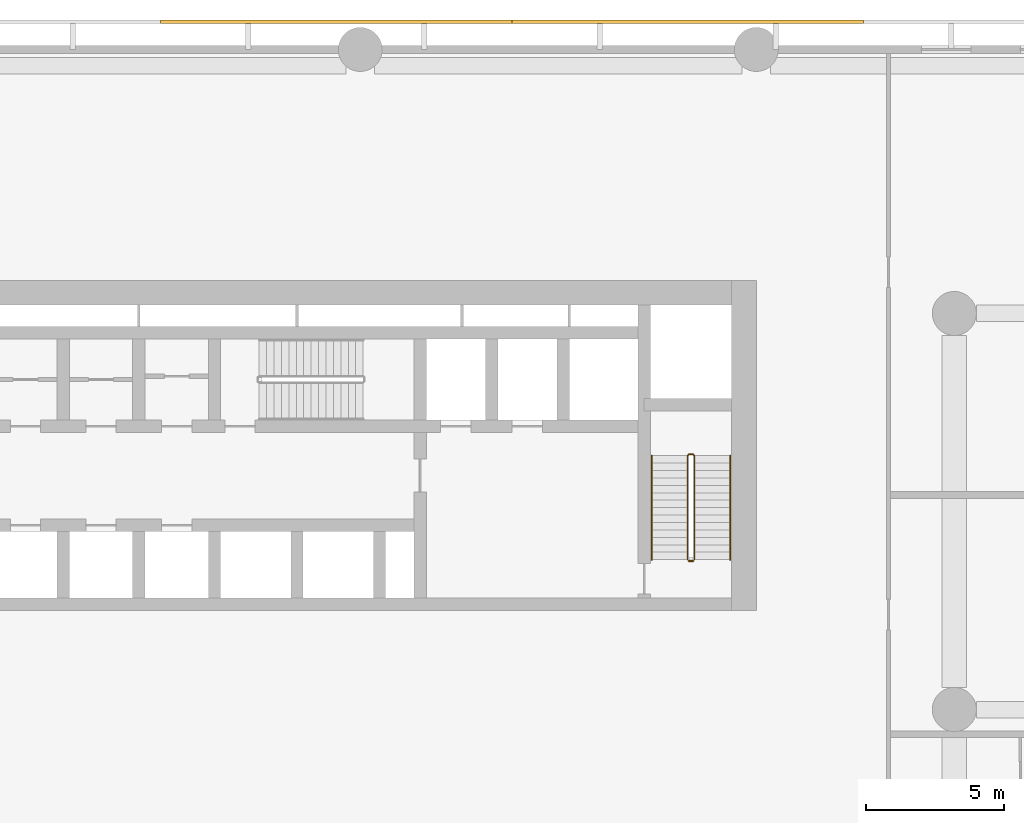
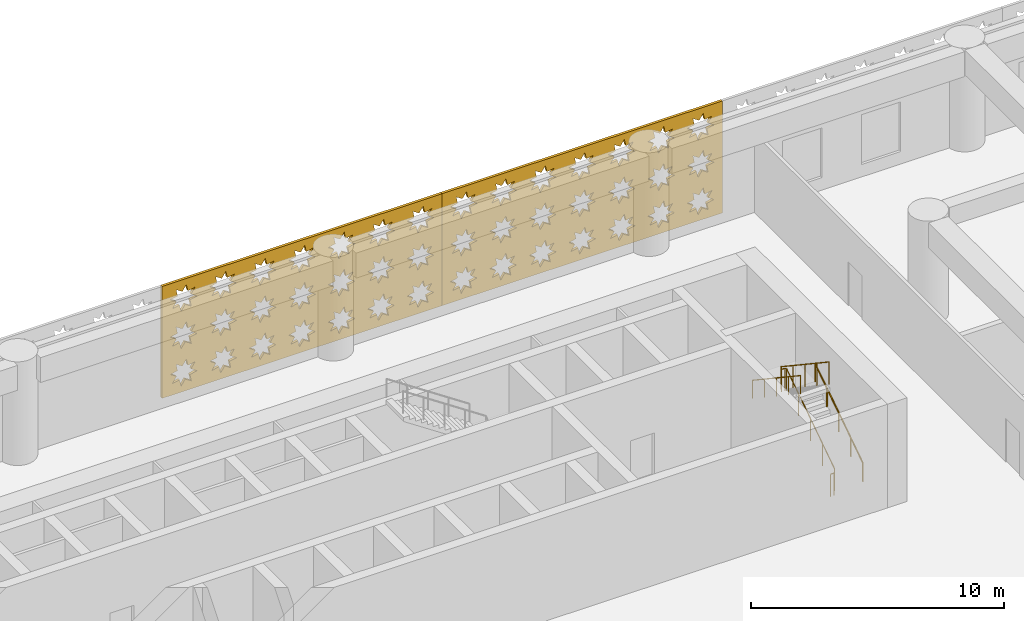
# One storey, part 28 of 30: 4 railings, 2 coverings.
"""IFC4 building model written with IfcOpenShell, lengths in metres."""

from ifc_helpers import new_model, si_unit, direction, frame, origin, origin_2d, place, context, subcontext, project, spatial, polyline, circle, outline, extrude, material, layer, layer_set, type_object, element, save


model = new_model("IFC4")

# Units and contexts
model_context = context("Model", 3, precision=1e-05, world=origin(), true_north=direction((0.0, 1.0)))
body_context = subcontext(model_context, "Body", "Model", "MODEL_VIEW")
ifc_project = project(units=[si_unit("LENGTHUNIT", "METRE"), si_unit("AREAUNIT", "SQUARE_METRE"), si_unit("VOLUMEUNIT", "CUBIC_METRE"), si_unit("PLANEANGLEUNIT", "RADIAN"), si_unit("MASSUNIT", "GRAM", prefix="KILO")], contexts=[model_context])

# Site, building, storey
site_placement = place(None, origin())
site = spatial("IfcSite", under=ifc_project, at=site_placement, CompositionType="ELEMENT")
building_placement = place(site_placement, origin())
building = spatial("IfcBuilding", under=site, at=building_placement, Name="Saffron Iwan Residences", CompositionType="ELEMENT")
storey_placement = place(building_placement, frame((0.0, 0.0, 7.800048828125)))
storey = spatial("IfcBuildingStorey", under=building, at=storey_placement, Name="L01", CompositionType="ELEMENT", Elevation=7.800048828125)

# Coverings
ifc_material_1 = material(Name="Terracotta screen, precast concrete C40/50", Category="masonry")
ifc_layer = layer(ifc_material_1, 0.1201171875)
ifc_layer_set = layer_set([ifc_layer], Name="Terracotta screen, precast concrete C40/50")
covering_type = type_object("IfcCoveringType", Name="PODIUM SCREEN GIRIH", PredefinedType="CLADDING", material=ifc_layer_set)
covering_1_placement = place(storey_placement, frame((75.89501953125, 87.35009765625, -0.400146484375), z_axis=(0.0, 1.0, 0.0), x_axis=(-1.0, 0.0, 0.0)))
element("IfcCovering", 1, at=covering_1_placement, inside=storey, type_object=covering_type, Name="SCREEN girih terracotta L01 F2.2", PredefinedType="CLADDING", context=body_context, shape_type="SweptSolid", body=[
    extrude(outline(polyline([(0.0, 0.0), (12.777587890625, 0.0), (12.777587890625, 5.39990234375), (0.0, 5.39990234375), (0.0, 0.0)]), holes=[polyline([(1.5966796875, 1.02099609375), (1.271484375, 1.0888671875), (1.333251953125, 1.41552734375), (1.05517578125, 1.2333984375), (0.867919921875, 1.508056640625), (0.7998046875, 1.1826171875), (0.47314453125, 1.244384765625), (0.6552734375, 0.96630859375), (0.380615234375, 0.779052734375), (0.7060546875, 0.711181640625), (0.644287109375, 0.384521484375), (0.92236328125, 0.56640625), (1.109619140625, 0.2919921875), (1.177490234375, 0.6171875), (1.50439453125, 0.555419921875), (1.322265625, 0.833740234375), (1.5966796875, 1.02099609375)]), polyline([(1.5966796875, 2.821044921875), (1.271484375, 2.888916015625), (1.333251953125, 3.215576171875), (1.05517578125, 3.033447265625), (0.867919921875, 3.30810546875), (0.7998046875, 2.982666015625), (0.47314453125, 3.04443359375), (0.6552734375, 2.766357421875), (0.380615234375, 2.5791015625), (0.7060546875, 2.510986328125), (0.644287109375, 2.1845703125), (0.92236328125, 2.366455078125), (1.109619140625, 2.091796875), (1.177490234375, 2.417236328125), (1.50439453125, 2.35546875), (1.322265625, 2.6337890625), (1.5966796875, 2.821044921875)]), polyline([(1.5966796875, 4.62109375), (1.271484375, 4.68896484375), (1.333251953125, 5.015380859375), (1.05517578125, 4.83349609375), (0.867919921875, 5.108154296875), (0.7998046875, 4.78271484375), (0.47314453125, 4.844482421875), (0.6552734375, 4.56640625), (0.380615234375, 4.37890625), (0.7060546875, 4.31103515625), (0.644287109375, 3.984619140625), (0.92236328125, 4.16650390625), (1.109619140625, 3.891845703125), (1.177490234375, 4.21728515625), (1.50439453125, 4.155517578125), (1.322265625, 4.43359375), (1.5966796875, 4.62109375)]), polyline([(3.396728515625, 1.02099609375), (3.0712890625, 1.0888671875), (3.13330078125, 1.41552734375), (2.85498046875, 1.2333984375), (2.667724609375, 1.508056640625), (2.599853515625, 1.1826171875), (2.273193359375, 1.244384765625), (2.455322265625, 0.96630859375), (2.1806640625, 0.779052734375), (2.506103515625, 0.711181640625), (2.4443359375, 0.384521484375), (2.722412109375, 0.56640625), (2.90966796875, 0.2919921875), (2.9775390625, 0.6171875), (3.30419921875, 0.555419921875), (3.122314453125, 0.833740234375), (3.396728515625, 1.02099609375)]), polyline([(3.396728515625, 2.821044921875), (3.0712890625, 2.888916015625), (3.13330078125, 3.215576171875), (2.85498046875, 3.033447265625), (2.667724609375, 3.30810546875), (2.599853515625, 2.982666015625), (2.273193359375, 3.04443359375), (2.455322265625, 2.766357421875), (2.1806640625, 2.5791015625), (2.506103515625, 2.510986328125), (2.4443359375, 2.1845703125), (2.722412109375, 2.366455078125), (2.90966796875, 2.091796875), (2.9775390625, 2.417236328125), (3.30419921875, 2.35546875), (3.122314453125, 2.6337890625), (3.396728515625, 2.821044921875)]), polyline([(3.396728515625, 4.62109375), (3.0712890625, 4.68896484375), (3.13330078125, 5.015380859375), (2.85498046875, 4.83349609375), (2.667724609375, 5.108154296875), (2.599853515625, 4.78271484375), (2.273193359375, 4.844482421875), (2.455322265625, 4.56640625), (2.1806640625, 4.37890625), (2.506103515625, 4.31103515625), (2.4443359375, 3.984619140625), (2.722412109375, 4.16650390625), (2.90966796875, 3.891845703125), (2.9775390625, 4.21728515625), (3.30419921875, 4.155517578125), (3.122314453125, 4.43359375), (3.396728515625, 4.62109375)]), polyline([(5.19677734375, 1.02099609375), (4.871337890625, 1.0888671875), (4.93310546875, 1.41552734375), (4.655029296875, 1.2333984375), (4.4677734375, 1.508056640625), (4.39990234375, 1.1826171875), (4.0732421875, 1.244384765625), (4.25537109375, 0.96630859375), (3.980712890625, 0.779052734375), (4.30615234375, 0.711181640625), (4.244384765625, 0.384521484375), (4.5224609375, 0.56640625), (4.709716796875, 0.2919921875), (4.777587890625, 0.6171875), (5.104248046875, 0.555419921875), (4.922119140625, 0.833740234375), (5.19677734375, 1.02099609375)]), polyline([(5.19677734375, 2.821044921875), (4.871337890625, 2.888916015625), (4.93310546875, 3.215576171875), (4.655029296875, 3.033447265625), (4.4677734375, 3.30810546875), (4.39990234375, 2.982666015625), (4.0732421875, 3.04443359375), (4.25537109375, 2.766357421875), (3.980712890625, 2.5791015625), (4.30615234375, 2.510986328125), (4.244384765625, 2.1845703125), (4.5224609375, 2.366455078125), (4.709716796875, 2.091796875), (4.777587890625, 2.417236328125), (5.104248046875, 2.35546875), (4.922119140625, 2.6337890625), (5.19677734375, 2.821044921875)]), polyline([(5.19677734375, 4.62109375), (4.871337890625, 4.68896484375), (4.93310546875, 5.015380859375), (4.655029296875, 4.83349609375), (4.4677734375, 5.108154296875), (4.39990234375, 4.78271484375), (4.0732421875, 4.844482421875), (4.25537109375, 4.56640625), (3.980712890625, 4.37890625), (4.30615234375, 4.31103515625), (4.244384765625, 3.984619140625), (4.5224609375, 4.16650390625), (4.709716796875, 3.891845703125), (4.777587890625, 4.21728515625), (5.104248046875, 4.155517578125), (4.922119140625, 4.43359375), (5.19677734375, 4.62109375)]), polyline([(6.996826171875, 1.02099609375), (6.67138671875, 1.0888671875), (6.733154296875, 1.41552734375), (6.455078125, 1.2333984375), (6.267822265625, 1.508056640625), (6.199951171875, 1.1826171875), (5.873291015625, 1.244384765625), (6.055419921875, 0.96630859375), (5.78076171875, 0.779052734375), (6.106201171875, 0.711181640625), (6.044189453125, 0.384521484375), (6.322509765625, 0.56640625), (6.509765625, 0.2919921875), (6.57763671875, 0.6171875), (6.904296875, 0.555419921875), (6.72216796875, 0.833740234375), (6.996826171875, 1.02099609375)]), polyline([(6.996826171875, 2.821044921875), (6.67138671875, 2.888916015625), (6.733154296875, 3.215576171875), (6.455078125, 3.033447265625), (6.267822265625, 3.30810546875), (6.199951171875, 2.982666015625), (5.873291015625, 3.04443359375), (6.055419921875, 2.766357421875), (5.78076171875, 2.5791015625), (6.106201171875, 2.510986328125), (6.044189453125, 2.1845703125), (6.322509765625, 2.366455078125), (6.509765625, 2.091796875), (6.57763671875, 2.417236328125), (6.904296875, 2.35546875), (6.72216796875, 2.6337890625), (6.996826171875, 2.821044921875)]), polyline([(6.996826171875, 4.62109375), (6.67138671875, 4.68896484375), (6.733154296875, 5.015380859375), (6.455078125, 4.83349609375), (6.267822265625, 5.108154296875), (6.199951171875, 4.78271484375), (5.873291015625, 4.844482421875), (6.055419921875, 4.56640625), (5.78076171875, 4.37890625), (6.106201171875, 4.31103515625), (6.044189453125, 3.984619140625), (6.322509765625, 4.16650390625), (6.509765625, 3.891845703125), (6.57763671875, 4.21728515625), (6.904296875, 4.155517578125), (6.72216796875, 4.43359375), (6.996826171875, 4.62109375)]), polyline([(8.796875, 1.02099609375), (8.471435546875, 1.0888671875), (8.533203125, 1.41552734375), (8.255126953125, 1.2333984375), (8.06787109375, 1.508056640625), (8.0, 1.1826171875), (7.673095703125, 1.244384765625), (7.855224609375, 0.96630859375), (7.580810546875, 0.779052734375), (7.906005859375, 0.711181640625), (7.84423828125, 0.384521484375), (8.122314453125, 0.56640625), (8.309814453125, 0.2919921875), (8.377685546875, 0.6171875), (8.704345703125, 0.555419921875), (8.522216796875, 0.833740234375), (8.796875, 1.02099609375)]), polyline([(8.796875, 2.821044921875), (8.471435546875, 2.888916015625), (8.533203125, 3.215576171875), (8.255126953125, 3.033447265625), (8.06787109375, 3.30810546875), (8.0, 2.982666015625), (7.673095703125, 3.04443359375), (7.855224609375, 2.766357421875), (7.580810546875, 2.5791015625), (7.906005859375, 2.510986328125), (7.84423828125, 2.1845703125), (8.122314453125, 2.366455078125), (8.309814453125, 2.091796875), (8.377685546875, 2.417236328125), (8.704345703125, 2.35546875), (8.522216796875, 2.6337890625), (8.796875, 2.821044921875)]), polyline([(8.796875, 4.62109375), (8.471435546875, 4.68896484375), (8.533203125, 5.015380859375), (8.255126953125, 4.83349609375), (8.06787109375, 5.108154296875), (8.0, 4.78271484375), (7.673095703125, 4.844482421875), (7.855224609375, 4.56640625), (7.580810546875, 4.37890625), (7.906005859375, 4.31103515625), (7.84423828125, 3.984619140625), (8.122314453125, 4.16650390625), (8.309814453125, 3.891845703125), (8.377685546875, 4.21728515625), (8.704345703125, 4.155517578125), (8.522216796875, 4.43359375), (8.796875, 4.62109375)]), polyline([(10.5966796875, 1.02099609375), (10.271484375, 1.0888671875), (10.333251953125, 1.41552734375), (10.05517578125, 1.2333984375), (9.867919921875, 1.508056640625), (9.7998046875, 1.1826171875), (9.47314453125, 1.244384765625), (9.6552734375, 0.96630859375), (9.380615234375, 0.779052734375), (9.7060546875, 0.711181640625), (9.644287109375, 0.384521484375), (9.92236328125, 0.56640625), (10.109619140625, 0.2919921875), (10.177490234375, 0.6171875), (10.50439453125, 0.555419921875), (10.322265625, 0.833740234375), (10.5966796875, 1.02099609375)]), polyline([(10.5966796875, 2.821044921875), (10.271484375, 2.888916015625), (10.333251953125, 3.215576171875), (10.05517578125, 3.033447265625), (9.867919921875, 3.30810546875), (9.7998046875, 2.982666015625), (9.47314453125, 3.04443359375), (9.6552734375, 2.766357421875), (9.380615234375, 2.5791015625), (9.7060546875, 2.510986328125), (9.644287109375, 2.1845703125), (9.92236328125, 2.366455078125), (10.109619140625, 2.091796875), (10.177490234375, 2.417236328125), (10.50439453125, 2.35546875), (10.322265625, 2.6337890625), (10.5966796875, 2.821044921875)]), polyline([(10.5966796875, 4.62109375), (10.271484375, 4.68896484375), (10.333251953125, 5.015380859375), (10.05517578125, 4.83349609375), (9.867919921875, 5.108154296875), (9.7998046875, 4.78271484375), (9.47314453125, 4.844482421875), (9.6552734375, 4.56640625), (9.380615234375, 4.37890625), (9.7060546875, 4.31103515625), (9.644287109375, 3.984619140625), (9.92236328125, 4.16650390625), (10.109619140625, 3.891845703125), (10.177490234375, 4.21728515625), (10.50439453125, 4.155517578125), (10.322265625, 4.43359375), (10.5966796875, 4.62109375)]), polyline([(12.396728515625, 1.02099609375), (12.0712890625, 1.0888671875), (12.13330078125, 1.41552734375), (11.85498046875, 1.2333984375), (11.667724609375, 1.508056640625), (11.599853515625, 1.1826171875), (11.273193359375, 1.244384765625), (11.455322265625, 0.96630859375), (11.1806640625, 0.779052734375), (11.506103515625, 0.711181640625), (11.4443359375, 0.384521484375), (11.722412109375, 0.56640625), (11.90966796875, 0.2919921875), (11.9775390625, 0.6171875), (12.30419921875, 0.555419921875), (12.122314453125, 0.833740234375), (12.396728515625, 1.02099609375)]), polyline([(12.396728515625, 2.821044921875), (12.0712890625, 2.888916015625), (12.13330078125, 3.215576171875), (11.85498046875, 3.033447265625), (11.667724609375, 3.30810546875), (11.599853515625, 2.982666015625), (11.273193359375, 3.04443359375), (11.455322265625, 2.766357421875), (11.1806640625, 2.5791015625), (11.506103515625, 2.510986328125), (11.4443359375, 2.1845703125), (11.722412109375, 2.366455078125), (11.90966796875, 2.091796875), (11.9775390625, 2.417236328125), (12.30419921875, 2.35546875), (12.122314453125, 2.6337890625), (12.396728515625, 2.821044921875)]), polyline([(12.396728515625, 4.62109375), (12.0712890625, 4.68896484375), (12.13330078125, 5.015380859375), (11.85498046875, 4.83349609375), (11.667724609375, 5.108154296875), (11.599853515625, 4.78271484375), (11.273193359375, 4.844482421875), (11.455322265625, 4.56640625), (11.1806640625, 4.37890625), (11.506103515625, 4.31103515625), (11.4443359375, 3.984619140625), (11.722412109375, 4.16650390625), (11.90966796875, 3.891845703125), (11.9775390625, 4.21728515625), (12.30419921875, 4.155517578125), (12.122314453125, 4.43359375), (12.396728515625, 4.62109375)])]), origin(), (0.0, 0.0, 1.0), 0.119873046875),
])
covering_2_placement = place(storey_placement, frame((63.117431640625, 87.35009765625, -0.400146484375), z_axis=(0.0, 1.0, 0.0), x_axis=(-1.0, 0.0, 0.0)))
element("IfcCovering", 2, at=covering_2_placement, inside=storey, type_object=covering_type, Name="SCREEN girih terracotta L01 F2.3", PredefinedType="CLADDING", context=body_context, shape_type="SweptSolid", body=[
    extrude(outline(polyline([(0.0, 0.0), (12.777587890625, 0.0), (12.777587890625, 5.39990234375), (0.0, 5.39990234375), (0.0, 0.0)]), holes=[polyline([(1.5966796875, 1.02099609375), (1.271484375, 1.0888671875), (1.333251953125, 1.41552734375), (1.05517578125, 1.2333984375), (0.867919921875, 1.508056640625), (0.7998046875, 1.1826171875), (0.47314453125, 1.244384765625), (0.6552734375, 0.96630859375), (0.380615234375, 0.779052734375), (0.7060546875, 0.711181640625), (0.644287109375, 0.384521484375), (0.92236328125, 0.56640625), (1.109619140625, 0.2919921875), (1.177490234375, 0.6171875), (1.50439453125, 0.555419921875), (1.322265625, 0.833740234375), (1.5966796875, 1.02099609375)]), polyline([(1.5966796875, 2.821044921875), (1.271484375, 2.888916015625), (1.333251953125, 3.215576171875), (1.05517578125, 3.033447265625), (0.867919921875, 3.30810546875), (0.7998046875, 2.982666015625), (0.47314453125, 3.04443359375), (0.6552734375, 2.766357421875), (0.380615234375, 2.5791015625), (0.7060546875, 2.510986328125), (0.644287109375, 2.1845703125), (0.92236328125, 2.366455078125), (1.109619140625, 2.091796875), (1.177490234375, 2.417236328125), (1.50439453125, 2.35546875), (1.322265625, 2.6337890625), (1.5966796875, 2.821044921875)]), polyline([(1.5966796875, 4.62109375), (1.271484375, 4.68896484375), (1.333251953125, 5.015380859375), (1.05517578125, 4.83349609375), (0.867919921875, 5.108154296875), (0.7998046875, 4.78271484375), (0.47314453125, 4.844482421875), (0.6552734375, 4.56640625), (0.380615234375, 4.37890625), (0.7060546875, 4.31103515625), (0.644287109375, 3.984619140625), (0.92236328125, 4.16650390625), (1.109619140625, 3.891845703125), (1.177490234375, 4.21728515625), (1.50439453125, 4.155517578125), (1.322265625, 4.43359375), (1.5966796875, 4.62109375)]), polyline([(3.396728515625, 1.02099609375), (3.0712890625, 1.0888671875), (3.13330078125, 1.41552734375), (2.85498046875, 1.2333984375), (2.667724609375, 1.508056640625), (2.599853515625, 1.1826171875), (2.273193359375, 1.244384765625), (2.455322265625, 0.96630859375), (2.1806640625, 0.779052734375), (2.506103515625, 0.711181640625), (2.4443359375, 0.384521484375), (2.722412109375, 0.56640625), (2.90966796875, 0.2919921875), (2.9775390625, 0.6171875), (3.30419921875, 0.555419921875), (3.122314453125, 0.833740234375), (3.396728515625, 1.02099609375)]), polyline([(3.396728515625, 2.821044921875), (3.0712890625, 2.888916015625), (3.13330078125, 3.215576171875), (2.85498046875, 3.033447265625), (2.667724609375, 3.30810546875), (2.599853515625, 2.982666015625), (2.273193359375, 3.04443359375), (2.455322265625, 2.766357421875), (2.1806640625, 2.5791015625), (2.506103515625, 2.510986328125), (2.4443359375, 2.1845703125), (2.722412109375, 2.366455078125), (2.90966796875, 2.091796875), (2.9775390625, 2.417236328125), (3.30419921875, 2.35546875), (3.122314453125, 2.6337890625), (3.396728515625, 2.821044921875)]), polyline([(3.396728515625, 4.62109375), (3.0712890625, 4.68896484375), (3.13330078125, 5.015380859375), (2.85498046875, 4.83349609375), (2.667724609375, 5.108154296875), (2.599853515625, 4.78271484375), (2.273193359375, 4.844482421875), (2.455322265625, 4.56640625), (2.1806640625, 4.37890625), (2.506103515625, 4.31103515625), (2.4443359375, 3.984619140625), (2.722412109375, 4.16650390625), (2.90966796875, 3.891845703125), (2.9775390625, 4.21728515625), (3.30419921875, 4.155517578125), (3.122314453125, 4.43359375), (3.396728515625, 4.62109375)]), polyline([(5.19677734375, 1.02099609375), (4.871337890625, 1.0888671875), (4.93310546875, 1.41552734375), (4.655029296875, 1.2333984375), (4.4677734375, 1.508056640625), (4.39990234375, 1.1826171875), (4.0732421875, 1.244384765625), (4.25537109375, 0.96630859375), (3.980712890625, 0.779052734375), (4.30615234375, 0.711181640625), (4.244384765625, 0.384521484375), (4.5224609375, 0.56640625), (4.709716796875, 0.2919921875), (4.777587890625, 0.6171875), (5.104248046875, 0.555419921875), (4.922119140625, 0.833740234375), (5.19677734375, 1.02099609375)]), polyline([(5.19677734375, 2.821044921875), (4.871337890625, 2.888916015625), (4.93310546875, 3.215576171875), (4.655029296875, 3.033447265625), (4.4677734375, 3.30810546875), (4.39990234375, 2.982666015625), (4.0732421875, 3.04443359375), (4.25537109375, 2.766357421875), (3.980712890625, 2.5791015625), (4.30615234375, 2.510986328125), (4.244384765625, 2.1845703125), (4.5224609375, 2.366455078125), (4.709716796875, 2.091796875), (4.777587890625, 2.417236328125), (5.104248046875, 2.35546875), (4.922119140625, 2.6337890625), (5.19677734375, 2.821044921875)]), polyline([(5.19677734375, 4.62109375), (4.871337890625, 4.68896484375), (4.93310546875, 5.015380859375), (4.655029296875, 4.83349609375), (4.4677734375, 5.108154296875), (4.39990234375, 4.78271484375), (4.0732421875, 4.844482421875), (4.25537109375, 4.56640625), (3.980712890625, 4.37890625), (4.30615234375, 4.31103515625), (4.244384765625, 3.984619140625), (4.5224609375, 4.16650390625), (4.709716796875, 3.891845703125), (4.777587890625, 4.21728515625), (5.104248046875, 4.155517578125), (4.922119140625, 4.43359375), (5.19677734375, 4.62109375)]), polyline([(6.996826171875, 1.02099609375), (6.67138671875, 1.0888671875), (6.733154296875, 1.41552734375), (6.455078125, 1.2333984375), (6.267822265625, 1.508056640625), (6.199951171875, 1.1826171875), (5.873291015625, 1.244384765625), (6.055419921875, 0.96630859375), (5.78076171875, 0.779052734375), (6.106201171875, 0.711181640625), (6.044189453125, 0.384521484375), (6.322509765625, 0.56640625), (6.509765625, 0.2919921875), (6.57763671875, 0.6171875), (6.904296875, 0.555419921875), (6.72216796875, 0.833740234375), (6.996826171875, 1.02099609375)]), polyline([(6.996826171875, 2.821044921875), (6.67138671875, 2.888916015625), (6.733154296875, 3.215576171875), (6.455078125, 3.033447265625), (6.267822265625, 3.30810546875), (6.199951171875, 2.982666015625), (5.873291015625, 3.04443359375), (6.055419921875, 2.766357421875), (5.78076171875, 2.5791015625), (6.106201171875, 2.510986328125), (6.044189453125, 2.1845703125), (6.322509765625, 2.366455078125), (6.509765625, 2.091796875), (6.57763671875, 2.417236328125), (6.904296875, 2.35546875), (6.72216796875, 2.6337890625), (6.996826171875, 2.821044921875)]), polyline([(6.996826171875, 4.62109375), (6.67138671875, 4.68896484375), (6.733154296875, 5.015380859375), (6.455078125, 4.83349609375), (6.267822265625, 5.108154296875), (6.199951171875, 4.78271484375), (5.873291015625, 4.844482421875), (6.055419921875, 4.56640625), (5.78076171875, 4.37890625), (6.106201171875, 4.31103515625), (6.044189453125, 3.984619140625), (6.322509765625, 4.16650390625), (6.509765625, 3.891845703125), (6.57763671875, 4.21728515625), (6.904296875, 4.155517578125), (6.72216796875, 4.43359375), (6.996826171875, 4.62109375)]), polyline([(8.796875, 1.02099609375), (8.471435546875, 1.0888671875), (8.533203125, 1.41552734375), (8.255126953125, 1.2333984375), (8.06787109375, 1.508056640625), (8.0, 1.1826171875), (7.673095703125, 1.244384765625), (7.855224609375, 0.96630859375), (7.580810546875, 0.779052734375), (7.906005859375, 0.711181640625), (7.84423828125, 0.384521484375), (8.122314453125, 0.56640625), (8.309814453125, 0.2919921875), (8.377685546875, 0.6171875), (8.704345703125, 0.555419921875), (8.522216796875, 0.833740234375), (8.796875, 1.02099609375)]), polyline([(8.796875, 2.821044921875), (8.471435546875, 2.888916015625), (8.533203125, 3.215576171875), (8.255126953125, 3.033447265625), (8.06787109375, 3.30810546875), (8.0, 2.982666015625), (7.673095703125, 3.04443359375), (7.855224609375, 2.766357421875), (7.580810546875, 2.5791015625), (7.906005859375, 2.510986328125), (7.84423828125, 2.1845703125), (8.122314453125, 2.366455078125), (8.309814453125, 2.091796875), (8.377685546875, 2.417236328125), (8.704345703125, 2.35546875), (8.522216796875, 2.6337890625), (8.796875, 2.821044921875)]), polyline([(8.796875, 4.62109375), (8.471435546875, 4.68896484375), (8.533203125, 5.015380859375), (8.255126953125, 4.83349609375), (8.06787109375, 5.108154296875), (8.0, 4.78271484375), (7.673095703125, 4.844482421875), (7.855224609375, 4.56640625), (7.580810546875, 4.37890625), (7.906005859375, 4.31103515625), (7.84423828125, 3.984619140625), (8.122314453125, 4.16650390625), (8.309814453125, 3.891845703125), (8.377685546875, 4.21728515625), (8.704345703125, 4.155517578125), (8.522216796875, 4.43359375), (8.796875, 4.62109375)]), polyline([(10.5966796875, 1.02099609375), (10.271484375, 1.0888671875), (10.333251953125, 1.41552734375), (10.05517578125, 1.2333984375), (9.867919921875, 1.508056640625), (9.7998046875, 1.1826171875), (9.47314453125, 1.244384765625), (9.6552734375, 0.96630859375), (9.380615234375, 0.779052734375), (9.7060546875, 0.711181640625), (9.644287109375, 0.384521484375), (9.92236328125, 0.56640625), (10.109619140625, 0.2919921875), (10.177490234375, 0.6171875), (10.50439453125, 0.555419921875), (10.322265625, 0.833740234375), (10.5966796875, 1.02099609375)]), polyline([(10.5966796875, 2.821044921875), (10.271484375, 2.888916015625), (10.333251953125, 3.215576171875), (10.05517578125, 3.033447265625), (9.867919921875, 3.30810546875), (9.7998046875, 2.982666015625), (9.47314453125, 3.04443359375), (9.6552734375, 2.766357421875), (9.380615234375, 2.5791015625), (9.7060546875, 2.510986328125), (9.644287109375, 2.1845703125), (9.92236328125, 2.366455078125), (10.109619140625, 2.091796875), (10.177490234375, 2.417236328125), (10.50439453125, 2.35546875), (10.322265625, 2.6337890625), (10.5966796875, 2.821044921875)]), polyline([(10.5966796875, 4.62109375), (10.271484375, 4.68896484375), (10.333251953125, 5.015380859375), (10.05517578125, 4.83349609375), (9.867919921875, 5.108154296875), (9.7998046875, 4.78271484375), (9.47314453125, 4.844482421875), (9.6552734375, 4.56640625), (9.380615234375, 4.37890625), (9.7060546875, 4.31103515625), (9.644287109375, 3.984619140625), (9.92236328125, 4.16650390625), (10.109619140625, 3.891845703125), (10.177490234375, 4.21728515625), (10.50439453125, 4.155517578125), (10.322265625, 4.43359375), (10.5966796875, 4.62109375)]), polyline([(12.396728515625, 1.02099609375), (12.0712890625, 1.0888671875), (12.13330078125, 1.41552734375), (11.85498046875, 1.2333984375), (11.667724609375, 1.508056640625), (11.599853515625, 1.1826171875), (11.273193359375, 1.244384765625), (11.455322265625, 0.96630859375), (11.1806640625, 0.779052734375), (11.506103515625, 0.711181640625), (11.4443359375, 0.384521484375), (11.722412109375, 0.56640625), (11.90966796875, 0.2919921875), (11.9775390625, 0.6171875), (12.30419921875, 0.555419921875), (12.122314453125, 0.833740234375), (12.396728515625, 1.02099609375)]), polyline([(12.396728515625, 2.821044921875), (12.0712890625, 2.888916015625), (12.13330078125, 3.215576171875), (11.85498046875, 3.033447265625), (11.667724609375, 3.30810546875), (11.599853515625, 2.982666015625), (11.273193359375, 3.04443359375), (11.455322265625, 2.766357421875), (11.1806640625, 2.5791015625), (11.506103515625, 2.510986328125), (11.4443359375, 2.1845703125), (11.722412109375, 2.366455078125), (11.90966796875, 2.091796875), (11.9775390625, 2.417236328125), (12.30419921875, 2.35546875), (12.122314453125, 2.6337890625), (12.396728515625, 2.821044921875)]), polyline([(12.396728515625, 4.62109375), (12.0712890625, 4.68896484375), (12.13330078125, 5.015380859375), (11.85498046875, 4.83349609375), (11.667724609375, 5.108154296875), (11.599853515625, 4.78271484375), (11.273193359375, 4.844482421875), (11.455322265625, 4.56640625), (11.1806640625, 4.37890625), (11.506103515625, 4.31103515625), (11.4443359375, 3.984619140625), (11.722412109375, 4.16650390625), (11.90966796875, 3.891845703125), (11.9775390625, 4.21728515625), (12.30419921875, 4.155517578125), (12.122314453125, 4.43359375), (12.396728515625, 4.62109375)])]), origin(), (0.0, 0.0, 1.0), 0.119873046875),
])

# Railings
ifc_material_2 = material(Name="Steel S355", Category="steel")
railing_type_1 = type_object("IfcRailingType", Name="Stair guard 1100", PredefinedType="GUARDRAIL", material=ifc_material_2)
railing_1_placement = place(storey_placement, frame((69.75, 67.85009765625, 0.179931640625)))
element("IfcRailing", 3, at=railing_1_placement, inside=storey, type_object=railing_type_1, Name="L01 ST-E stair guard 1", PredefinedType="GUARDRAIL", context=body_context, shape_type="SweptSolid", body=[
    extrude(circle(Radius=0.02392578125, at=origin_2d()), frame((0.0, 0.0, 1.076171875), z_axis=(0.0, 0.832033757966, 0.554724999982), x_axis=(-1.0, 0.0, 0.0)), (0.0, 0.0, 1.0), 4.542724609375),
    extrude(circle(Radius=0.02392578125, at=origin_2d()), frame((0.0, 3.77978515625, 3.59619140625), z_axis=(-0.707106781187, 0.707106781187, 0.0), x_axis=(-0.707106781187, -0.707106781187, 0.0)), (0.0, 0.0, 1.0), 0.07080078125),
    extrude(circle(Radius=0.02392578125, at=origin_2d()), frame((-0.050048828125, 3.829833984375, 3.59619140625), z_axis=(-1.0, 0.0, 0.0), x_axis=(0.0, -1.0, 0.0)), (0.0, 0.0, 1.0), 0.14990234375),
    extrude(circle(Radius=0.02392578125, at=origin_2d()), frame((-0.199951171875, 3.829833984375, 3.59619140625), z_axis=(-0.258847668887, -0.258847668887, 0.930588936439), x_axis=(0.707106781187, -0.707106781187, 0.0)), (0.0, 0.0, 1.0), 0.193359375),
    extrude(circle(Radius=0.02392578125, at=origin_2d()), frame((-0.25, 3.77978515625, 3.77587890625), z_axis=(0.0, -0.832033757966, 0.554724999982), x_axis=(1.0, 0.0, 0.0)), (0.0, 0.0, 1.0), 4.542724609375),
    extrude(circle(Radius=0.02099609375, at=origin_2d()), origin(), (0.0, 0.0, 1.0), 1.052001953125),
    extrude(circle(Radius=0.02099609375, at=origin_2d()), frame((0.0, 0.94482421875, 0.6298828125)), (0.0, 0.0, 1.0), 1.052001953125),
    extrude(circle(Radius=0.02099609375, at=origin_2d()), frame((0.0, 1.889892578125, 1.260009765625)), (0.0, 0.0, 1.0), 1.052001953125),
    extrude(circle(Radius=0.02099609375, at=origin_2d()), frame((0.0, 2.8349609375, 1.89013671875)), (0.0, 0.0, 1.0), 1.052001953125),
    extrude(circle(Radius=0.02099609375, at=origin_2d()), frame((0.0, 3.77978515625, 2.52001953125)), (0.0, 0.0, 1.0), 1.052001953125),
    extrude(circle(Radius=0.02099609375, at=origin_2d()), frame((-0.050048828125, 3.829833984375, 2.52001953125)), (0.0, 0.0, 1.0), 1.052001953125),
    extrude(circle(Radius=0.02099609375, at=origin_2d()), frame((-0.199951171875, 3.829833984375, 2.52001953125)), (0.0, 0.0, 1.0), 1.052001953125),
    extrude(circle(Radius=0.02099609375, at=origin_2d()), frame((-0.25, 3.77978515625, 2.699951171875)), (0.0, 0.0, 1.0), 1.052001953125),
    extrude(circle(Radius=0.02099609375, at=origin_2d()), frame((-0.25, 2.8349609375, 3.330078125)), (0.0, 0.0, 1.0), 1.052001953125),
    extrude(circle(Radius=0.02099609375, at=origin_2d()), frame((-0.25, 1.889892578125, 3.9599609375)), (0.0, 0.0, 1.0), 1.052001953125),
    extrude(circle(Radius=0.02099609375, at=origin_2d()), frame((-0.25, 0.94482421875, 4.58984375)), (0.0, 0.0, 1.0), 1.052001953125),
    extrude(circle(Radius=0.02099609375, at=origin_2d()), frame((-0.25, 0.0, 5.219970703125)), (0.0, 0.0, 1.0), 1.052001953125),
])
railing_2_placement = place(storey_placement, frame((69.699951171875, 67.800048828125, 0.0)))
element("IfcRailing", 4, at=railing_2_placement, inside=storey, type_object=railing_type_1, Name="L01 ST-E stair guard 2", PredefinedType="GUARDRAIL", context=body_context, shape_type="SweptSolid", body=[
    extrude(circle(Radius=0.02392578125, at=origin_2d()), frame((0.0, 0.0, 1.076171875), z_axis=(-1.0, 0.0, 0.0), x_axis=(0.0, -1.0, 0.0)), (0.0, 0.0, 1.0), 0.14990234375),
    extrude(circle(Radius=0.02099609375, at=origin_2d()), origin(), (0.0, 0.0, 1.0), 1.052001953125),
    extrude(circle(Radius=0.02099609375, at=origin_2d()), frame((-0.14990234375, 0.0, 0.0)), (0.0, 0.0, 1.0), 1.052001953125),
])
ifc_material_3 = material(Name="Stainless steel 316", Category="steel")
railing_type_2 = type_object("IfcRailingType", Name="Stair handrail 900", PredefinedType="HANDRAIL", material=ifc_material_3)
railing_3_placement = place(storey_placement, frame((71.050048828125, 67.85009765625, 0.179931640625)))
element("IfcRailing", 5, at=railing_3_placement, inside=storey, type_object=railing_type_2, Name="L01 ST-E stair handrail 1", PredefinedType="HANDRAIL", context=body_context, shape_type="SweptSolid", body=[
    extrude(circle(Radius=0.02392578125, at=origin_2d()), frame((0.0, 0.0, 0.8759765625), z_axis=(0.0, 0.832033757966, 0.554724999982), x_axis=(-1.0, 0.0, 0.0)), (0.0, 0.0, 1.0), 4.542724609375),
    extrude(circle(Radius=0.02099609375, at=origin_2d()), origin(), (0.0, 0.0, 1.0), 0.851806640625),
    extrude(circle(Radius=0.02099609375, at=origin_2d()), frame((0.0, 0.94482421875, 0.6298828125)), (0.0, 0.0, 1.0), 0.851806640625),
    extrude(circle(Radius=0.02099609375, at=origin_2d()), frame((0.0, 1.889892578125, 1.260009765625)), (0.0, 0.0, 1.0), 0.851806640625),
    extrude(circle(Radius=0.02099609375, at=origin_2d()), frame((0.0, 2.8349609375, 1.89013671875)), (0.0, 0.0, 1.0), 0.851806640625),
    extrude(circle(Radius=0.02099609375, at=origin_2d()), frame((0.0, 3.77978515625, 2.52001953125)), (0.0, 0.0, 1.0), 0.851806640625),
])
railing_4_placement = place(storey_placement, frame((68.199951171875, 71.6298828125, 2.8798828125)))
element("IfcRailing", 6, at=railing_4_placement, inside=storey, type_object=railing_type_2, Name="L01 ST-E stair handrail 2", PredefinedType="HANDRAIL", context=body_context, shape_type="SweptSolid", body=[
    extrude(circle(Radius=0.02392578125, at=origin_2d()), frame((0.0, 0.0, 0.8759765625), z_axis=(0.0, -0.832033757966, 0.554724999982), x_axis=(1.0, 0.0, 0.0)), (0.0, 0.0, 1.0), 4.542724609375),
    extrude(circle(Radius=0.02099609375, at=origin_2d()), origin(), (0.0, 0.0, 1.0), 0.851806640625),
    extrude(circle(Radius=0.02099609375, at=origin_2d()), frame((0.0, -0.94482421875, 0.6298828125)), (0.0, 0.0, 1.0), 0.851806640625),
    extrude(circle(Radius=0.02099609375, at=origin_2d()), frame((0.0, -1.889892578125, 1.260009765625)), (0.0, 0.0, 1.0), 0.851806640625),
    extrude(circle(Radius=0.02099609375, at=origin_2d()), frame((0.0, -2.8349609375, 1.89013671875)), (0.0, 0.0, 1.0), 0.851806640625),
    extrude(circle(Radius=0.02099609375, at=origin_2d()), frame((0.0, -3.77978515625, 2.52001953125)), (0.0, 0.0, 1.0), 0.851806640625),
])

save(model, "model.ifc")
